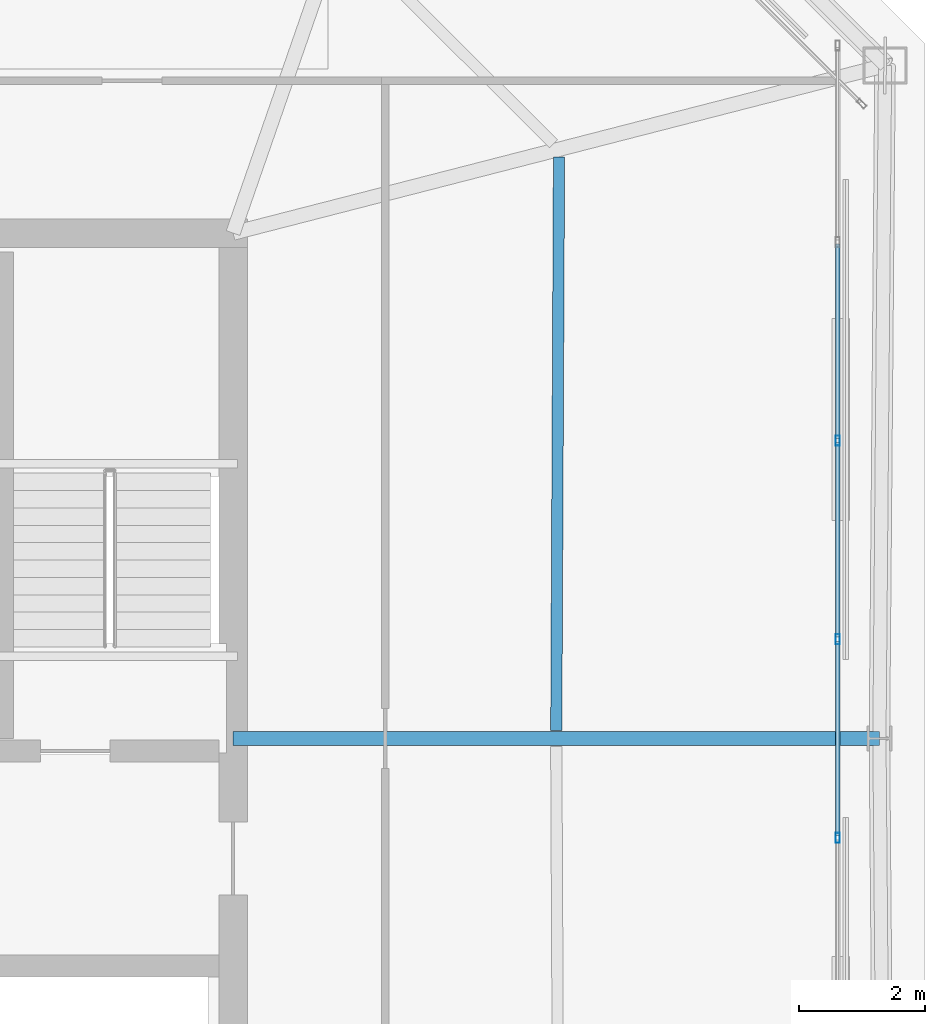
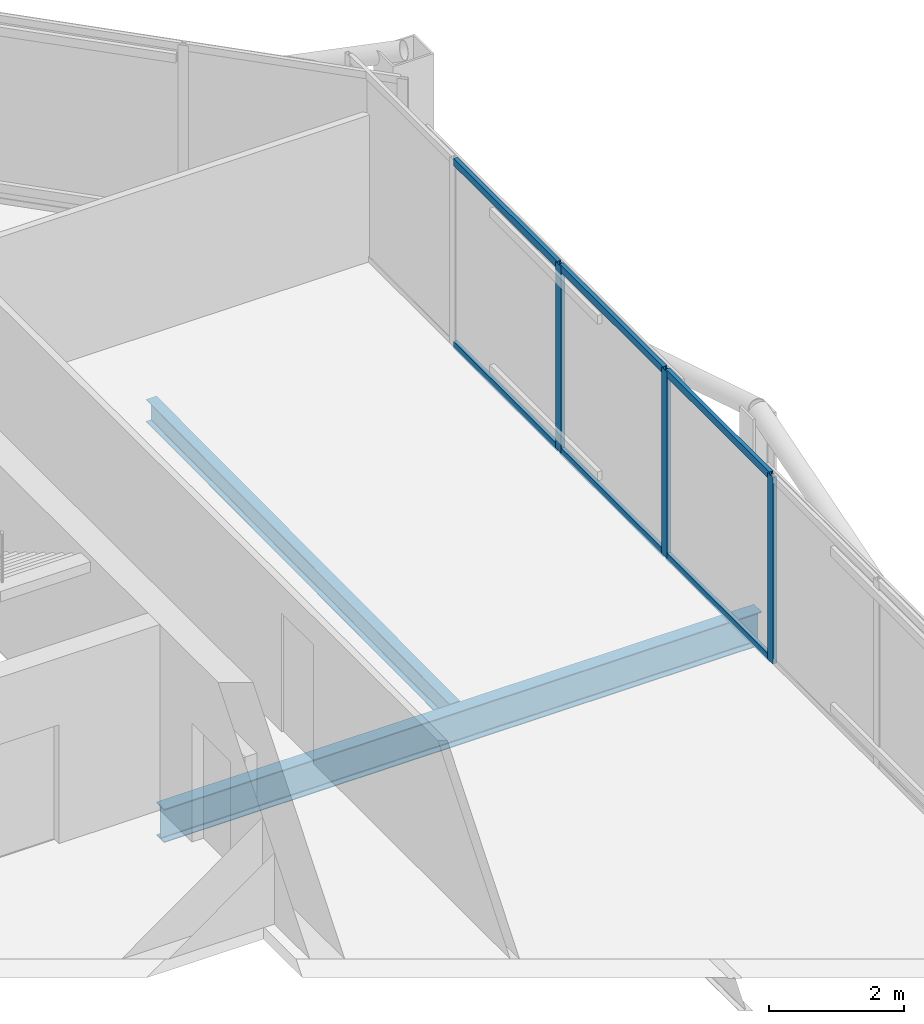
# One storey, part 17 of 26: 9 members, 2 beams, 1 element without a shape of its own.
"""IFC4 building model written with IfcOpenShell, lengths in metres."""

import ifcopenshell
import ifcopenshell.guid

model = None  # the IFC model being written
_history = None  # IfcOwnerHistory: only IFC2X3 demands one
_inside = {}  # id of a spatial element -> (the spatial element, [elements in it])
_under = {}  # id of a project, library or spatial element -> (it, [spatial elements below it])
_declared = {}  # id of a project -> (the project, [libraries it declares])
_typed = {}  # id of a type object -> (the type object, [elements of that type])
_made_of = {}  # id of a material, layer set ... -> (it, [elements and type objects made of it])


def new_model(schema):
    """Start an empty IFC model of exactly this schema.

    Asked for "IFC4X3", IfcOpenShell would pick the latest addendum, in which some entities
    have other attributes; the version numbers below select the first issue.
    IFC2X3 requires an IfcOwnerHistory on every rooted entity: one is made here for all.
    """
    global model, _history
    if schema == "IFC4X3":
        model = ifcopenshell.file(schema_version=(4, 3, 0, 0))
    else:
        model = ifcopenshell.file(schema=schema)
    _inside.clear()
    _under.clear()
    _declared.clear()
    _typed.clear()
    _made_of.clear()
    _history = None
    if model.schema == "IFC2X3":
        org = make("IfcOrganization", Name="unknown")
        user = make(
            "IfcPersonAndOrganization",
            ThePerson=make("IfcPerson", FamilyName="unknown"),
            TheOrganization=org,
        )
        app = make(
            "IfcApplication",
            ApplicationDeveloper=org,
            Version="unknown",
            ApplicationFullName="unknown",
            ApplicationIdentifier="unknown",
        )
        _history = make(
            "IfcOwnerHistory",
            OwningUser=user,
            OwningApplication=app,
            ChangeAction="ADDED",
            CreationDate=0,
        )
    return model


def make(cls, **values):
    """One entity of the class cls with the attributes given. An attribute that is None is left unset."""
    return model.create_entity(
        cls, **{name: value for name, value in values.items() if value is not None}
    )


def rooted(cls, **values):
    """An entity with a GlobalId (a new one), such as an element, a storey or a relation."""
    return make(cls, GlobalId=ifcopenshell.guid.new(), OwnerHistory=_history, **values)


def si_unit(unit_type, name, prefix=None):
    """IfcSIUnit, for example si_unit("LENGTHUNIT", "METRE", prefix="MILLI")."""
    return make("IfcSIUnit", UnitType=unit_type, Prefix=prefix, Name=name)


def assignment(units):
    """IfcUnitAssignment: the units of a project."""
    return None if units is None else make("IfcUnitAssignment", Units=units)


def point(xyz):
    """IfcCartesianPoint."""
    return None if xyz is None else make("IfcCartesianPoint", Coordinates=xyz)


def direction(xyz):
    """IfcDirection."""
    return None if xyz is None else make("IfcDirection", DirectionRatios=xyz)


def frame(location, z_axis=None, x_axis=None):
    """IfcAxis2Placement3D, a coordinate frame: its origin and axes. An axis left out is left unset."""
    return make(
        "IfcAxis2Placement3D",
        Location=point(location),
        Axis=direction(z_axis),
        RefDirection=direction(x_axis),
    )


def frame_2d(location, x_axis=None):
    """IfcAxis2Placement2D, a coordinate frame in the plane: its origin and x axis."""
    return make(
        "IfcAxis2Placement2D", Location=point(location), RefDirection=direction(x_axis)
    )


def origin():
    """The frame at (0, 0, 0) with its axes left unset."""
    return frame((0.0, 0.0, 0.0))


def origin_2d():
    """The frame at (0, 0) in the plane with its x axis left unset."""
    return frame_2d((0.0, 0.0))


def place(relative_to, where):
    """IfcLocalPlacement: puts the frame where relative to a parent placement (None: the world)."""
    return make(
        "IfcLocalPlacement", PlacementRelTo=relative_to, RelativePlacement=where
    )


def context(
    kind, dimensions, precision=None, world=None, true_north=None, identifier=None
):
    """IfcGeometricRepresentationContext, for example the 3D "Model" context."""
    return make(
        "IfcGeometricRepresentationContext",
        ContextIdentifier=identifier,
        ContextType=kind,
        CoordinateSpaceDimension=dimensions,
        Precision=precision,
        WorldCoordinateSystem=world,
        TrueNorth=true_north,
    )


def subcontext(parent, identifier, kind, view, scale=None):
    """IfcGeometricRepresentationSubContext, for example "Body" below "Model"."""
    return make(
        "IfcGeometricRepresentationSubContext",
        ContextIdentifier=identifier,
        ContextType=kind,
        ParentContext=parent,
        TargetScale=scale,
        TargetView=view,
    )


def project(units=None, contexts=None):
    """IfcProject with its units and contexts."""
    return rooted(
        "IfcProject",
        Name="project",
        RepresentationContexts=contexts,
        UnitsInContext=assignment(units),
    )


def spatial(cls, under=None, at=None, **own):
    """A site, building, storey or space (cls), placed at a placement, below another one or the project."""
    s = rooted(cls, ObjectPlacement=at, **own)
    if under is not None:
        _under.setdefault(under.id(), (under, []))[1].append(s)
    return s


def profile(cls, at=None, kind="AREA", **sizes):
    """A parametric profile (cls). Its sizes go by their IFC names, for example OverallWidth=200.0."""
    return make(cls, ProfileType=kind, Position=at, **sizes)


def hollow_rectangle(**sizes):
    """IfcRectangleHollowProfileDef."""
    return profile("IfcRectangleHollowProfileDef", **sizes)


def i_section(**sizes):
    """IfcIShapeProfileDef."""
    return profile("IfcIShapeProfileDef", **sizes)


def extrude(swept, where, along, depth):
    """IfcExtrudedAreaSolid: the profile swept, set in the frame where, extruded along a direction by depth."""
    return make(
        "IfcExtrudedAreaSolid",
        SweptArea=swept,
        Position=where,
        ExtrudedDirection=direction(along),
        Depth=depth,
    )


def shape(context_of_items, identifier, shape_type, items):
    """IfcShapeRepresentation: the items that make up one representation, for example the "Body"."""
    return make(
        "IfcShapeRepresentation",
        ContextOfItems=context_of_items,
        RepresentationIdentifier=identifier,
        RepresentationType=shape_type,
        Items=items,
    )


def material(Name=None, Category=None):
    """IfcMaterial."""
    return make("IfcMaterial", Name=Name, Category=Category)


def layer(
    of_material, thickness, ventilated=None, Name=None, Category=None, Priority=None
):
    """IfcMaterialLayer: one layer of a wall or slab, of a material (None: an air gap)."""
    return make(
        "IfcMaterialLayer",
        Material=of_material,
        LayerThickness=thickness,
        IsVentilated=ventilated,
        Name=Name,
        Category=Category,
        Priority=Priority,
    )


def layer_set(layers, Name=None):
    """IfcMaterialLayerSet."""
    return make("IfcMaterialLayerSet", MaterialLayers=layers, LayerSetName=Name)


def material_profile(
    of_material, cross_section, Name=None, Category=None, Priority=None
):
    """IfcMaterialProfile: a cross section and its material."""
    return make(
        "IfcMaterialProfile",
        Name=Name,
        Material=of_material,
        Profile=cross_section,
        Priority=Priority,
        Category=Category,
    )


def profile_set(profiles, Name=None, composite=None):
    """IfcMaterialProfileSet."""
    return make(
        "IfcMaterialProfileSet",
        Name=Name,
        MaterialProfiles=profiles,
        CompositeProfile=composite,
    )


def made_of(thing, what):
    """Note that an element or type object is made of a material, layer set ...; save() writes the relation."""
    if what is not None:
        _made_of.setdefault(what.id(), (what, []))[1].append(thing)
    return thing


def type_object(cls, material=None, **own):
    """A type object (cls), such as IfcWallType, which elements share."""
    return made_of(rooted(cls, **own), material)


def element(
    cls,
    number,
    at=None,
    inside=None,
    cuts=None,
    type_object=None,
    material=None,
    context=None,
    identifier="Body",
    shape_type=None,
    held_by="IfcProductDefinitionShape",
    body=None,
    shapes=None,
    **own,
):
    """One element of the class cls, such as IfcWall. Its Tag is "e" and its number.

    at: its placement. inside: the storey or other place that contains it. cuts: it is an
    opening in that element (IfcRelVoidsElement). A single representation is given by context,
    identifier, shape_type and body (its items); several are given by shapes. held_by: the class
    of the entity that holds the representations. save() writes the other relations.
    """
    e = rooted(cls, Tag="e%d" % number, ObjectPlacement=at, **own)
    if body is not None:
        shapes = [shape(context, identifier, shape_type, body)]
    if shapes is not None:
        e.Representation = make(held_by, Representations=shapes)
    if inside is not None:
        _inside.setdefault(inside.id(), (inside, []))[1].append(e)
    if cuts is not None:
        rooted(
            "IfcRelVoidsElement", RelatingBuildingElement=cuts, RelatedOpeningElement=e
        )
    if type_object is not None:
        _typed.setdefault(type_object.id(), (type_object, []))[1].append(e)
    return made_of(e, material)


def aggregate(whole, parts):
    """IfcRelAggregates: a whole, such as a stair, and the parts it consists of."""
    return rooted("IfcRelAggregates", RelatingObject=whole, RelatedObjects=parts)


def save(model, path):
    """Write the relations noted so far, then the file.

    IfcRelAggregates (storeys below a building ...), IfcRelContainedInSpatialStructure (elements
    in a storey), IfcRelDefinesByType, IfcRelAssociatesMaterial and IfcRelDeclares: one each for
    every whole, place, type object, material and project.
    """
    for whole, parts in _under.values():
        aggregate(whole, parts)
    for where, things in _inside.values():
        rooted(
            "IfcRelContainedInSpatialStructure",
            RelatedElements=things,
            RelatingStructure=where,
        )
    for kind, things in _typed.values():
        rooted("IfcRelDefinesByType", RelatedObjects=things, RelatingType=kind)
    for what, things in _made_of.values():
        rooted("IfcRelAssociatesMaterial", RelatedObjects=things, RelatingMaterial=what)
    for by, libraries in _declared.values():
        rooted("IfcRelDeclares", RelatingContext=by, RelatedDefinitions=libraries)
    model.write(path)


model = new_model("IFC4")

# Units and contexts
model_context = context("Model", 3, precision=1e-05, world=origin(), true_north=direction((0.0, 1.0)))
body_context = subcontext(model_context, "Body", "Model", "MODEL_VIEW")
ifc_project = project(units=[si_unit("LENGTHUNIT", "METRE"), si_unit("AREAUNIT", "SQUARE_METRE"), si_unit("VOLUMEUNIT", "CUBIC_METRE"), si_unit("PLANEANGLEUNIT", "RADIAN"), si_unit("MASSUNIT", "GRAM", prefix="KILO")], contexts=[model_context])

# Site, building, storey
site_placement = place(None, origin())
site = spatial("IfcSite", under=ifc_project, at=site_placement, CompositionType="ELEMENT")
building_placement = place(site_placement, origin())
building = spatial("IfcBuilding", under=site, at=building_placement, Name="Caelvoria Tower", CompositionType="ELEMENT")
storey_placement = place(building_placement, frame((0.0, 0.0, 239.39990234375)))
storey = spatial("IfcBuildingStorey", under=building, at=storey_placement, Name="L63", CompositionType="ELEMENT", Elevation=239.39990234375)

# Curtain wall, members
ifc_material_1 = material(Name="Anodised Bronze Aluminium and Low-E Glass", Category="aluminium")
ifc_layer = layer(ifc_material_1, 0.175048828125, Name="Anodised Bronze Aluminium and Low-E Glass")
ifc_layer_set = layer_set([ifc_layer], Name="CW System 4 High-Zone Tapered Crystal Facade - Anodised Bronze Aluminium and Low-E Glass")
curtain_wall_type = type_object("IfcCurtainWallType", Name="CW System 4 High-Zone Tapered Crystal Facade", PredefinedType="NOTDEFINED", material=ifc_layer_set)
curtain_wall_placement = place(storey_placement, origin())
curtain_wall = element("IfcCurtainWall", 1, at=curtain_wall_placement, inside=storey, type_object=curtain_wall_type, Name="CW-04 Curtain Wall L63-E2", PredefinedType="NOTDEFINED")
ifc_material_2 = material(Name="Anodised Bronze Architectural Aluminium", Category="aluminium")
ifc_material_profile_1 = material_profile(ifc_material_2, hollow_rectangle(XDim=0.06494140625, YDim=0.159912109375, WallThickness=0.00390625, at=origin_2d()), Name="Anodised Bronze Architectural Aluminium")
ifc_profile_set_1 = profile_set([ifc_material_profile_1], Name="CW_MULL_65X160 - Anodised Bronze Architectural Aluminium")
member_type_1 = type_object("IfcMemberType", Name="Curtain Wall Mullion 65x160 Bronze Aluminium", PredefinedType="MULLION", material=ifc_profile_set_1)
member_1_placement = place(storey_placement, frame((64.570068359375, 30.428466796875, 0.0), z_axis=(0.0, 0.0, 1.0), x_axis=(-1.0, 0.0, 0.0)))
member_1 = element("IfcMember", 2, at=member_1_placement, type_object=member_type_1, Name="CW-04 mullion 4", PredefinedType="MULLION", context=body_context, shape_type="SweptSolid", body=[
    extrude(hollow_rectangle(XDim=0.06494140625, YDim=0.159912109375, WallThickness=0.00390625, at=origin_2d()), origin(), (0.0, 0.0, 1.0), 3.375),
])
member_2_placement = place(storey_placement, frame((64.570068359375, 33.571533203125, 0.0), z_axis=(0.0, 0.0, 1.0), x_axis=(-1.0, 0.0, 0.0)))
member_2 = element("IfcMember", 3, at=member_2_placement, type_object=member_type_1, Name="CW-04 mullion 5", PredefinedType="MULLION", context=body_context, shape_type="SweptSolid", body=[
    extrude(hollow_rectangle(XDim=0.06494140625, YDim=0.159912109375, WallThickness=0.00390625, at=origin_2d()), origin(), (0.0, 0.0, 1.0), 3.375),
])
member_3_placement = place(storey_placement, frame((64.570068359375, 36.71435546875, 0.0), z_axis=(0.0, 0.0, 1.0), x_axis=(-1.0, 0.0, 0.0)))
member_3 = element("IfcMember", 4, at=member_3_placement, type_object=member_type_1, Name="CW-04 mullion 6", PredefinedType="MULLION", context=body_context, shape_type="SweptSolid", body=[
    extrude(hollow_rectangle(XDim=0.06494140625, YDim=0.159912109375, WallThickness=0.00390625, at=origin_2d()), origin(), (0.0, 0.0, 1.0), 3.375),
])
ifc_material_profile_2 = material_profile(ifc_material_2, hollow_rectangle(XDim=0.06494140625, YDim=0.1298828125, WallThickness=0.00341796875, at=origin_2d()), Name="Anodised Bronze Architectural Aluminium")
ifc_profile_set_2 = profile_set([ifc_material_profile_2], Name="CW_TRAN_65X130 - Anodised Bronze Architectural Aluminium")
member_type_2 = type_object("IfcMemberType", Name="Curtain Wall Transom 65x130 Bronze Aluminium", PredefinedType="USERDEFINED", material=ifc_profile_set_2)
member_4_placement = place(storey_placement, frame((64.570068359375, 30.461181640625, 0.03271484375), z_axis=(0.0, 1.0, 0.0), x_axis=(-1.0, 0.0, 0.0)))
member_4 = element("IfcMember", 5, at=member_4_placement, type_object=member_type_2, Name="CW-04 transom 4.1", ObjectType="TRANSOM", PredefinedType="USERDEFINED", context=body_context, shape_type="SweptSolid", body=[
    extrude(hollow_rectangle(XDim=0.06494140625, YDim=0.1298828125, WallThickness=0.00341796875, at=origin_2d()), origin(), (0.0, 0.0, 1.0), 3.07763671875),
])
member_5_placement = place(storey_placement, frame((64.570068359375, 30.461181640625, 3.342529296875), z_axis=(0.0, 1.0, 0.0), x_axis=(-1.0, 0.0, 0.0)))
member_5 = element("IfcMember", 6, at=member_5_placement, type_object=member_type_2, Name="CW-04 transom 4.2", ObjectType="TRANSOM", PredefinedType="USERDEFINED", context=body_context, shape_type="SweptSolid", body=[
    extrude(hollow_rectangle(XDim=0.06494140625, YDim=0.1298828125, WallThickness=0.00341796875, at=origin_2d()), origin(), (0.0, 0.0, 1.0), 3.07763671875),
])
member_6_placement = place(storey_placement, frame((64.570068359375, 33.60400390625, 0.03271484375), z_axis=(0.0, 1.0, 0.0), x_axis=(-1.0, 0.0, 0.0)))
member_6 = element("IfcMember", 7, at=member_6_placement, type_object=member_type_2, Name="CW-04 transom 5.1", ObjectType="TRANSOM", PredefinedType="USERDEFINED", context=body_context, shape_type="SweptSolid", body=[
    extrude(hollow_rectangle(XDim=0.06494140625, YDim=0.1298828125, WallThickness=0.00341796875, at=origin_2d()), origin(), (0.0, 0.0, 1.0), 3.077880859375),
])
member_7_placement = place(storey_placement, frame((64.570068359375, 33.60400390625, 3.342529296875), z_axis=(0.0, 1.0, 0.0), x_axis=(-1.0, 0.0, 0.0)))
member_7 = element("IfcMember", 8, at=member_7_placement, type_object=member_type_2, Name="CW-04 transom 5.2", ObjectType="TRANSOM", PredefinedType="USERDEFINED", context=body_context, shape_type="SweptSolid", body=[
    extrude(hollow_rectangle(XDim=0.06494140625, YDim=0.1298828125, WallThickness=0.00341796875, at=origin_2d()), origin(), (0.0, 0.0, 1.0), 3.077880859375),
])
member_8_placement = place(storey_placement, frame((64.570068359375, 36.746826171875, 0.03271484375), z_axis=(0.0, 1.0, 0.0), x_axis=(-1.0, 0.0, 0.0)))
member_8 = element("IfcMember", 9, at=member_8_placement, type_object=member_type_2, Name="CW-04 transom 6.1", ObjectType="TRANSOM", PredefinedType="USERDEFINED", context=body_context, shape_type="SweptSolid", body=[
    extrude(hollow_rectangle(XDim=0.06494140625, YDim=0.1298828125, WallThickness=0.00341796875, at=origin_2d()), origin(), (0.0, 0.0, 1.0), 3.077880859375),
])
member_9_placement = place(storey_placement, frame((64.570068359375, 36.746826171875, 3.342529296875), z_axis=(0.0, 1.0, 0.0), x_axis=(-1.0, 0.0, 0.0)))
member_9 = element("IfcMember", 10, at=member_9_placement, type_object=member_type_2, Name="CW-04 transom 6.2", ObjectType="TRANSOM", PredefinedType="USERDEFINED", context=body_context, shape_type="SweptSolid", body=[
    extrude(hollow_rectangle(XDim=0.06494140625, YDim=0.1298828125, WallThickness=0.00341796875, at=origin_2d()), origin(), (0.0, 0.0, 1.0), 3.077880859375),
])
aggregate(curtain_wall, [member_1, member_2, member_3, member_4, member_5, member_6, member_7, member_8, member_9])

# Beams
ifc_material_3 = material(Name="Structural Steel ASTM A992 Gr.50", Category="steel")
ifc_material_profile_3 = material_profile(ifc_material_3, i_section(OverallWidth=0.22802734375, OverallDepth=0.60302734375, WebThickness=0.010498046875, FlangeThickness=0.014892578125, FilletRadius=0.01806640625, at=origin_2d()), Name="Structural Steel ASTM A992 Gr.50")
ifc_profile_set_3 = profile_set([ifc_material_profile_3], Name="W610X101 - Structural Steel ASTM A992 Gr.50")
beam_type_1 = type_object("IfcBeamType", Name="Primary Floor Girder W610X101", PredefinedType="BEAM", material=ifc_profile_set_3)
beam_1_placement = place(storey_placement, frame((55.0, 32.0, -0.5263671875), z_axis=(1.0, 0.0, 0.0), x_axis=(0.0, 1.0, 0.0)))
element("IfcBeam", 11, at=beam_1_placement, inside=storey, type_object=beam_type_1, Name="Primary Floor Girder L63-04", PredefinedType="BEAM", context=body_context, shape_type="SweptSolid", body=[
    extrude(i_section(OverallWidth=0.22802734375, OverallDepth=0.60302734375, WebThickness=0.010498046875, FlangeThickness=0.014892578125, FilletRadius=0.01806640625, at=origin_2d()), origin(), (0.0, 0.0, 1.0), 10.22998046875),
])
ifc_material_profile_4 = material_profile(ifc_material_3, i_section(OverallWidth=0.177978515625, OverallDepth=0.406982421875, WebThickness=0.0078125, FlangeThickness=0.0126953125, FilletRadius=0.013916015625, at=origin_2d()), Name="Structural Steel ASTM A992 Gr.50")
ifc_profile_set_4 = profile_set([ifc_material_profile_4], Name="W410X60 - Structural Steel ASTM A992 Gr.50")
beam_type_2 = type_object("IfcBeamType", Name="Secondary Floor Beam W410X60", PredefinedType="BEAM", material=ifc_profile_set_4)
beam_2_placement = place(storey_placement, frame((60.115478515625, 32.125, -0.428466796875), z_axis=(0.004814878553, 0.999988408405, 0.0), x_axis=(-0.999988408405, 0.004814878553, 0.0)))
element("IfcBeam", 12, at=beam_2_placement, inside=storey, type_object=beam_type_2, Name="Secondary Floor Beam L63-04", PredefinedType="BEAM", context=body_context, shape_type="SweptSolid", body=[
    extrude(i_section(OverallWidth=0.177978515625, OverallDepth=0.406982421875, WebThickness=0.0078125, FlangeThickness=0.0126953125, FilletRadius=0.013916015625, at=origin_2d()), origin(), (0.0, 0.0, 1.0), 9.076171875),
])

save(model, "model.ifc")
